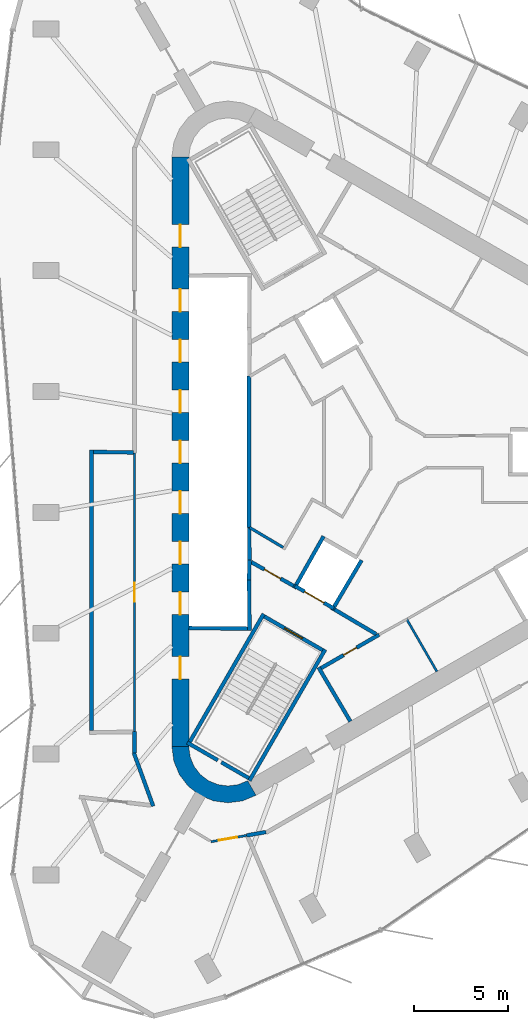
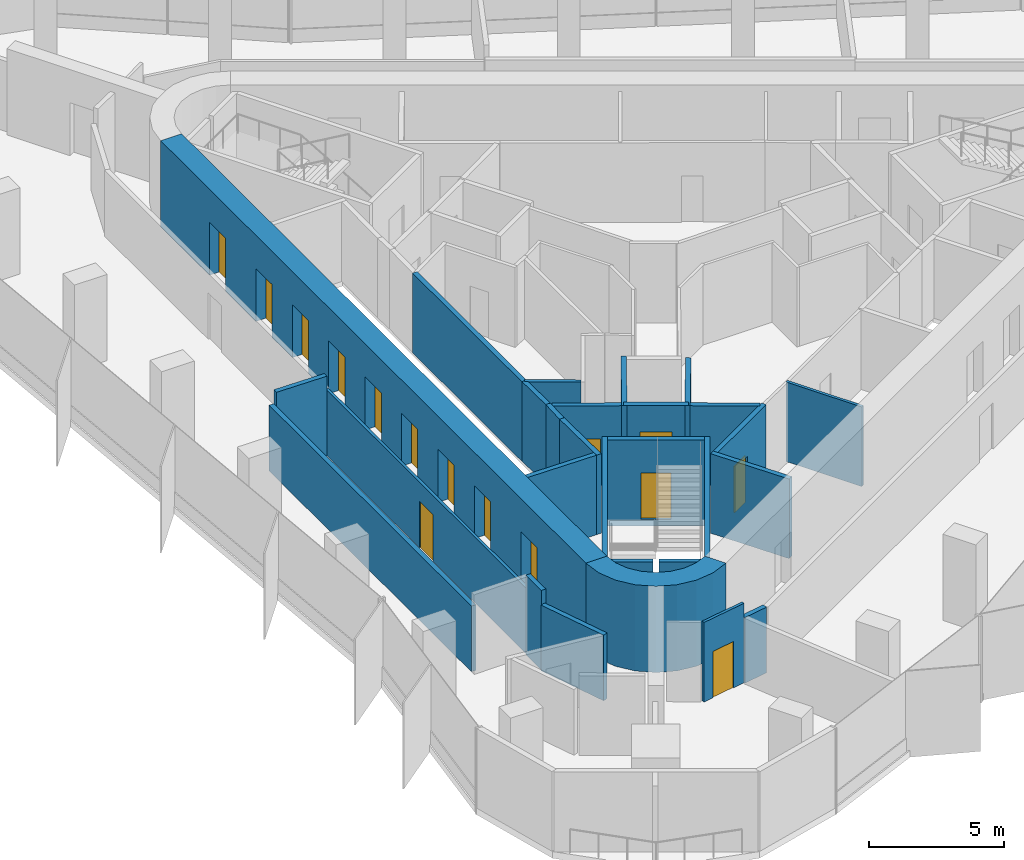
# One storey, part 7 of 12: 28 walls, 15 doors, 15 openings.
"""IFC4 building model written with IfcOpenShell, lengths in metres."""

import ifcopenshell
import ifcopenshell.guid

model = None  # the IFC model being written
_history = None  # IfcOwnerHistory: only IFC2X3 demands one
_inside = {}  # id of a spatial element -> (the spatial element, [elements in it])
_under = {}  # id of a project, library or spatial element -> (it, [spatial elements below it])
_declared = {}  # id of a project -> (the project, [libraries it declares])
_typed = {}  # id of a type object -> (the type object, [elements of that type])
_made_of = {}  # id of a material, layer set ... -> (it, [elements and type objects made of it])


def new_model(schema):
    """Start an empty IFC model of exactly this schema.

    Asked for "IFC4X3", IfcOpenShell would pick the latest addendum, in which some entities
    have other attributes; the version numbers below select the first issue.
    IFC2X3 requires an IfcOwnerHistory on every rooted entity: one is made here for all.
    """
    global model, _history
    if schema == "IFC4X3":
        model = ifcopenshell.file(schema_version=(4, 3, 0, 0))
    else:
        model = ifcopenshell.file(schema=schema)
    _inside.clear()
    _under.clear()
    _declared.clear()
    _typed.clear()
    _made_of.clear()
    _history = None
    if model.schema == "IFC2X3":
        org = make("IfcOrganization", Name="unknown")
        user = make(
            "IfcPersonAndOrganization",
            ThePerson=make("IfcPerson", FamilyName="unknown"),
            TheOrganization=org,
        )
        app = make(
            "IfcApplication",
            ApplicationDeveloper=org,
            Version="unknown",
            ApplicationFullName="unknown",
            ApplicationIdentifier="unknown",
        )
        _history = make(
            "IfcOwnerHistory",
            OwningUser=user,
            OwningApplication=app,
            ChangeAction="ADDED",
            CreationDate=0,
        )
    return model


def make(cls, **values):
    """One entity of the class cls with the attributes given. An attribute that is None is left unset."""
    return model.create_entity(
        cls, **{name: value for name, value in values.items() if value is not None}
    )


def rooted(cls, **values):
    """An entity with a GlobalId (a new one), such as an element, a storey or a relation."""
    return make(cls, GlobalId=ifcopenshell.guid.new(), OwnerHistory=_history, **values)


def si_unit(unit_type, name, prefix=None):
    """IfcSIUnit, for example si_unit("LENGTHUNIT", "METRE", prefix="MILLI")."""
    return make("IfcSIUnit", UnitType=unit_type, Prefix=prefix, Name=name)


def assignment(units):
    """IfcUnitAssignment: the units of a project."""
    return None if units is None else make("IfcUnitAssignment", Units=units)


def point(xyz):
    """IfcCartesianPoint."""
    return None if xyz is None else make("IfcCartesianPoint", Coordinates=xyz)


def direction(xyz):
    """IfcDirection."""
    return None if xyz is None else make("IfcDirection", DirectionRatios=xyz)


def frame(location, z_axis=None, x_axis=None):
    """IfcAxis2Placement3D, a coordinate frame: its origin and axes. An axis left out is left unset."""
    return make(
        "IfcAxis2Placement3D",
        Location=point(location),
        Axis=direction(z_axis),
        RefDirection=direction(x_axis),
    )


def frame_2d(location, x_axis=None):
    """IfcAxis2Placement2D, a coordinate frame in the plane: its origin and x axis."""
    return make(
        "IfcAxis2Placement2D", Location=point(location), RefDirection=direction(x_axis)
    )


def origin():
    """The frame at (0, 0, 0) with its axes left unset."""
    return frame((0.0, 0.0, 0.0))


def place(relative_to, where):
    """IfcLocalPlacement: puts the frame where relative to a parent placement (None: the world)."""
    return make(
        "IfcLocalPlacement", PlacementRelTo=relative_to, RelativePlacement=where
    )


def context(
    kind, dimensions, precision=None, world=None, true_north=None, identifier=None
):
    """IfcGeometricRepresentationContext, for example the 3D "Model" context."""
    return make(
        "IfcGeometricRepresentationContext",
        ContextIdentifier=identifier,
        ContextType=kind,
        CoordinateSpaceDimension=dimensions,
        Precision=precision,
        WorldCoordinateSystem=world,
        TrueNorth=true_north,
    )


def subcontext(parent, identifier, kind, view, scale=None):
    """IfcGeometricRepresentationSubContext, for example "Body" below "Model"."""
    return make(
        "IfcGeometricRepresentationSubContext",
        ContextIdentifier=identifier,
        ContextType=kind,
        ParentContext=parent,
        TargetScale=scale,
        TargetView=view,
    )


def project(units=None, contexts=None):
    """IfcProject with its units and contexts."""
    return rooted(
        "IfcProject",
        Name="project",
        RepresentationContexts=contexts,
        UnitsInContext=assignment(units),
    )


def spatial(cls, under=None, at=None, **own):
    """A site, building, storey or space (cls), placed at a placement, below another one or the project."""
    s = rooted(cls, ObjectPlacement=at, **own)
    if under is not None:
        _under.setdefault(under.id(), (under, []))[1].append(s)
    return s


def polyline(points):
    """IfcPolyline through the points."""
    return make("IfcPolyline", Points=[point(p) for p in points])


def profile(cls, at=None, kind="AREA", **sizes):
    """A parametric profile (cls). Its sizes go by their IFC names, for example OverallWidth=200.0."""
    return make(cls, ProfileType=kind, Position=at, **sizes)


def rectangle(**sizes):
    """IfcRectangleProfileDef."""
    return profile("IfcRectangleProfileDef", **sizes)


def outline(outer, holes=None, kind="AREA"):
    """IfcArbitraryClosedProfileDef: a profile drawn as a closed curve; with holes, ...WithVoids."""
    if holes is None:
        return make("IfcArbitraryClosedProfileDef", ProfileType=kind, OuterCurve=outer)
    return make(
        "IfcArbitraryProfileDefWithVoids",
        ProfileType=kind,
        OuterCurve=outer,
        InnerCurves=holes,
    )


def extrude(swept, where, along, depth):
    """IfcExtrudedAreaSolid: the profile swept, set in the frame where, extruded along a direction by depth."""
    return make(
        "IfcExtrudedAreaSolid",
        SweptArea=swept,
        Position=where,
        ExtrudedDirection=direction(along),
        Depth=depth,
    )


def shape(context_of_items, identifier, shape_type, items):
    """IfcShapeRepresentation: the items that make up one representation, for example the "Body"."""
    return make(
        "IfcShapeRepresentation",
        ContextOfItems=context_of_items,
        RepresentationIdentifier=identifier,
        RepresentationType=shape_type,
        Items=items,
    )


def material(Name=None, Category=None):
    """IfcMaterial."""
    return make("IfcMaterial", Name=Name, Category=Category)


def layer(
    of_material, thickness, ventilated=None, Name=None, Category=None, Priority=None
):
    """IfcMaterialLayer: one layer of a wall or slab, of a material (None: an air gap)."""
    return make(
        "IfcMaterialLayer",
        Material=of_material,
        LayerThickness=thickness,
        IsVentilated=ventilated,
        Name=Name,
        Category=Category,
        Priority=Priority,
    )


def layer_set(layers, Name=None):
    """IfcMaterialLayerSet."""
    return make("IfcMaterialLayerSet", MaterialLayers=layers, LayerSetName=Name)


def made_of(thing, what):
    """Note that an element or type object is made of a material, layer set ...; save() writes the relation."""
    if what is not None:
        _made_of.setdefault(what.id(), (what, []))[1].append(thing)
    return thing


def type_object(cls, material=None, **own):
    """A type object (cls), such as IfcWallType, which elements share."""
    return made_of(rooted(cls, **own), material)


def element(
    cls,
    number,
    at=None,
    inside=None,
    cuts=None,
    type_object=None,
    material=None,
    context=None,
    identifier="Body",
    shape_type=None,
    held_by="IfcProductDefinitionShape",
    body=None,
    shapes=None,
    **own,
):
    """One element of the class cls, such as IfcWall. Its Tag is "e" and its number.

    at: its placement. inside: the storey or other place that contains it. cuts: it is an
    opening in that element (IfcRelVoidsElement). A single representation is given by context,
    identifier, shape_type and body (its items); several are given by shapes. held_by: the class
    of the entity that holds the representations. save() writes the other relations.
    """
    e = rooted(cls, Tag="e%d" % number, ObjectPlacement=at, **own)
    if body is not None:
        shapes = [shape(context, identifier, shape_type, body)]
    if shapes is not None:
        e.Representation = make(held_by, Representations=shapes)
    if inside is not None:
        _inside.setdefault(inside.id(), (inside, []))[1].append(e)
    if cuts is not None:
        rooted(
            "IfcRelVoidsElement", RelatingBuildingElement=cuts, RelatedOpeningElement=e
        )
    if type_object is not None:
        _typed.setdefault(type_object.id(), (type_object, []))[1].append(e)
    return made_of(e, material)


def fill(opening, filler):
    """IfcRelFillsElement: the door or window that sits in an opening."""
    return rooted(
        "IfcRelFillsElement",
        RelatingOpeningElement=opening,
        RelatedBuildingElement=filler,
    )


def aggregate(whole, parts):
    """IfcRelAggregates: a whole, such as a stair, and the parts it consists of."""
    return rooted("IfcRelAggregates", RelatingObject=whole, RelatedObjects=parts)


def save(model, path):
    """Write the relations noted so far, then the file.

    IfcRelAggregates (storeys below a building ...), IfcRelContainedInSpatialStructure (elements
    in a storey), IfcRelDefinesByType, IfcRelAssociatesMaterial and IfcRelDeclares: one each for
    every whole, place, type object, material and project.
    """
    for whole, parts in _under.values():
        aggregate(whole, parts)
    for where, things in _inside.values():
        rooted(
            "IfcRelContainedInSpatialStructure",
            RelatedElements=things,
            RelatingStructure=where,
        )
    for kind, things in _typed.values():
        rooted("IfcRelDefinesByType", RelatedObjects=things, RelatingType=kind)
    for what, things in _made_of.values():
        rooted("IfcRelAssociatesMaterial", RelatedObjects=things, RelatingMaterial=what)
    for by, libraries in _declared.values():
        rooted("IfcRelDeclares", RelatingContext=by, RelatedDefinitions=libraries)
    model.write(path)


model = new_model("IFC4")

# Units and contexts
model_context = context("Model", 3, precision=1e-05, world=origin(), true_north=direction((0.0, 1.0)))
body_context = subcontext(model_context, "Body", "Model", "MODEL_VIEW")
ifc_project = project(units=[si_unit("LENGTHUNIT", "METRE"), si_unit("AREAUNIT", "SQUARE_METRE"), si_unit("VOLUMEUNIT", "CUBIC_METRE"), si_unit("PLANEANGLEUNIT", "RADIAN"), si_unit("MASSUNIT", "GRAM", prefix="KILO")], contexts=[model_context])

# Site, building, storey
site_placement = place(None, origin())
site = spatial("IfcSite", under=ifc_project, at=site_placement, CompositionType="ELEMENT")
building_placement = place(site_placement, origin())
building = spatial("IfcBuilding", under=site, at=building_placement, Name="Tanit Gate Tower", CompositionType="ELEMENT")
storey_placement = place(building_placement, frame((0.0, 0.0, 384.5)))
storey = spatial("IfcBuildingStorey", under=building, at=storey_placement, Name="L88", CompositionType="ELEMENT", Elevation=384.5)

# Wall, openings, doors
ifc_material_1 = material(Name="Concrete C40/50", Category="concrete")
ifc_layer_1 = layer(ifc_material_1, 0.89990234375)
ifc_layer_set_1 = layer_set([ifc_layer_1], Name="CORE WALL 900 C40/50")
wall_type_1 = type_object("IfcWallType", Name="CORE WALL 900 C40/50", PredefinedType="SHEAR", material=ifc_layer_set_1)
wall_1_placement = place(storey_placement, frame((-11.64990234375, 15.76171875, 0.0), z_axis=(0.0, 0.0, 1.0), x_axis=(0.0, -1.0, 0.0)))
wall_1 = element("IfcWall", 1, at=wall_1_placement, inside=storey, type_object=wall_type_1, Name="CORE WALL", PredefinedType="SHEAR", context=body_context, shape_type="SweptSolid", body=[
    extrude(rectangle(XDim=31.5234375, YDim=0.89990234375, at=frame_2d((15.76171875, 0.0))), origin(), (0.0, 0.0, 1.0), 3.89990234375),
])
opening_1_placement = place(wall_1_placement, frame((7.061767578125, 0.0, 0.0)))
opening_1 = element("IfcOpeningElement", 2, at=opening_1_placement, cuts=wall_1, Name="Opening LDHL1-88", PredefinedType="OPENING", context=body_context, shape_type="SweptSolid", body=[
    extrude(rectangle(XDim=1.199951171875, YDim=2.39990234375, at=frame_2d((0.60009765625, 1.199951171875))), frame((0.0, 0.4599609375, 0.0), z_axis=(0.0, -1.0, 0.0), x_axis=(1.0, 0.0, 0.0)), (0.0, 0.0, 1.0), 0.919921875),
])
opening_2_placement = place(wall_1_placement, frame((9.76171875, 0.0, 0.0)))
opening_2 = element("IfcOpeningElement", 3, at=opening_2_placement, cuts=wall_1, Name="Opening LDHL2-88", PredefinedType="OPENING", context=body_context, shape_type="SweptSolid", body=[
    extrude(rectangle(XDim=1.199951171875, YDim=2.39990234375, at=frame_2d((0.60009765625, 1.199951171875))), frame((0.0, 0.4599609375, 0.0), z_axis=(0.0, -1.0, 0.0), x_axis=(1.0, 0.0, 0.0)), (0.0, 0.0, 1.0), 0.919921875),
])
opening_3_placement = place(wall_1_placement, frame((12.461669921875, 0.0, 0.0)))
opening_3 = element("IfcOpeningElement", 4, at=opening_3_placement, cuts=wall_1, Name="Opening LDHL3-88", PredefinedType="OPENING", context=body_context, shape_type="SweptSolid", body=[
    extrude(rectangle(XDim=1.199951171875, YDim=2.39990234375, at=frame_2d((0.60009765625, 1.199951171875))), frame((0.0, 0.4599609375, 0.0), z_axis=(0.0, -1.0, 0.0), x_axis=(1.0, 0.0, 0.0)), (0.0, 0.0, 1.0), 0.919921875),
])
opening_4_placement = place(wall_1_placement, frame((15.16162109375, 0.0, 0.0)))
opening_4 = element("IfcOpeningElement", 5, at=opening_4_placement, cuts=wall_1, Name="Opening LDHL4-88", PredefinedType="OPENING", context=body_context, shape_type="SweptSolid", body=[
    extrude(rectangle(XDim=1.199951171875, YDim=2.39990234375, at=frame_2d((0.60009765625, 1.199951171875))), frame((0.0, 0.4599609375, 0.0), z_axis=(0.0, -1.0, 0.0), x_axis=(1.0, 0.0, 0.0)), (0.0, 0.0, 1.0), 0.919921875),
])
opening_5_placement = place(wall_1_placement, frame((17.86181640625, 0.0, 0.0)))
opening_5 = element("IfcOpeningElement", 6, at=opening_5_placement, cuts=wall_1, Name="Opening LDHL5-88", PredefinedType="OPENING", context=body_context, shape_type="SweptSolid", body=[
    extrude(rectangle(XDim=1.199951171875, YDim=2.39990234375, at=frame_2d((0.60009765625, 1.199951171875))), frame((0.0, 0.4599609375, 0.0), z_axis=(0.0, -1.0, 0.0), x_axis=(1.0, 0.0, 0.0)), (0.0, 0.0, 1.0), 0.919921875),
])
opening_6_placement = place(wall_1_placement, frame((20.561767578125, 0.0, 0.0)))
opening_6 = element("IfcOpeningElement", 7, at=opening_6_placement, cuts=wall_1, Name="Opening LDHL6-88", PredefinedType="OPENING", context=body_context, shape_type="SweptSolid", body=[
    extrude(rectangle(XDim=1.199951171875, YDim=2.39990234375, at=frame_2d((0.60009765625, 1.199951171875))), frame((0.0, 0.4599609375, 0.0), z_axis=(0.0, -1.0, 0.0), x_axis=(1.0, 0.0, 0.0)), (0.0, 0.0, 1.0), 0.919921875),
])
opening_7_placement = place(wall_1_placement, frame((23.26171875, 0.0, 0.0)))
opening_7 = element("IfcOpeningElement", 8, at=opening_7_placement, cuts=wall_1, Name="Opening LDHL7-88", PredefinedType="OPENING", context=body_context, shape_type="SweptSolid", body=[
    extrude(rectangle(XDim=1.199951171875, YDim=2.39990234375, at=frame_2d((0.60009765625, 1.199951171875))), frame((0.0, 0.4599609375, 0.0), z_axis=(0.0, -1.0, 0.0), x_axis=(1.0, 0.0, 0.0)), (0.0, 0.0, 1.0), 0.919921875),
])
opening_8_placement = place(wall_1_placement, frame((3.61181640625, 0.0, 0.0)))
opening_8 = element("IfcOpeningElement", 9, at=opening_8_placement, cuts=wall_1, Name="Opening F12-88-FL2", PredefinedType="OPENING", context=body_context, shape_type="SweptSolid", body=[
    extrude(rectangle(XDim=1.199951171875, YDim=2.39990234375, at=frame_2d((0.60009765625, 1.199951171875))), frame((0.0, 0.4599609375, 0.0), z_axis=(0.0, -1.0, 0.0), x_axis=(1.0, 0.0, 0.0)), (0.0, 0.0, 1.0), 0.919921875),
])
opening_9_placement = place(wall_1_placement, frame((26.711669921875, 0.0, 0.0)))
opening_9 = element("IfcOpeningElement", 10, at=opening_9_placement, cuts=wall_1, Name="Opening F12-88-S3", PredefinedType="OPENING", context=body_context, shape_type="SweptSolid", body=[
    extrude(rectangle(XDim=1.199951171875, YDim=2.39990234375, at=frame_2d((0.60009765625, 1.199951171875))), frame((0.0, 0.4599609375, 0.0), z_axis=(0.0, -1.0, 0.0), x_axis=(1.0, 0.0, 0.0)), (0.0, 0.0, 1.0), 0.919921875),
])
ifc_material_2 = material(Name="Fire-rated steel door leaf", Category="steel")
door_type_1 = type_object("IfcDoorType", Name="INT-DOOR-FIRE-LOBBY-1200", OperationType="NOTDEFINED", PredefinedType="USERDEFINED", material=ifc_material_2)
door_1_placement = place(opening_8_placement, origin())
door_1 = element("IfcDoor", 11, at=door_1_placement, inside=storey, type_object=door_type_1, Name="Door F12-88-FL2", ObjectType="FIRE DOOR", OperationType="SINGLE_SWING_LEFT", OverallHeight=2.39990234375, OverallWidth=1.199951171875, PredefinedType="USERDEFINED", context=body_context, shape_type="SweptSolid", body=[
    extrude(rectangle(XDim=1.199951171875, YDim=2.39990234375, at=frame_2d((0.60009765625, 1.199951171875))), frame((0.0, 0.02490234375, 0.0), z_axis=(0.0, -1.0, 0.0), x_axis=(1.0, 0.0, 0.0)), (0.0, 0.0, 1.0), 0.050048828125),
])
fill(opening_8, door_1)
door_2_placement = place(opening_9_placement, origin())
door_2 = element("IfcDoor", 12, at=door_2_placement, inside=storey, type_object=door_type_1, Name="Door F12-88-S3", ObjectType="FIRE DOOR", OperationType="SINGLE_SWING_LEFT", OverallHeight=2.39990234375, OverallWidth=1.199951171875, PredefinedType="USERDEFINED", context=body_context, shape_type="SweptSolid", body=[
    extrude(rectangle(XDim=1.199951171875, YDim=2.39990234375, at=frame_2d((0.60009765625, 1.199951171875))), frame((0.0, 0.02490234375, 0.0), z_axis=(0.0, -1.0, 0.0), x_axis=(1.0, 0.0, 0.0)), (0.0, 0.0, 1.0), 0.050048828125),
])
fill(opening_9, door_2)
ifc_material_3 = material(Name="Stainless steel sliding door leaf", Category="steel")
door_type_2 = type_object("IfcDoorType", Name="INT-DOOR-LANDING-1200", OperationType="NOTDEFINED", PredefinedType="USERDEFINED", material=ifc_material_3)
door_3_placement = place(opening_1_placement, origin())
door_3 = element("IfcDoor", 13, at=door_3_placement, inside=storey, type_object=door_type_2, Name="Door LDHL1-88", ObjectType="LANDING DOOR", OperationType="SLIDING_TO_LEFT", OverallHeight=2.39990234375, OverallWidth=1.199951171875, PredefinedType="USERDEFINED", context=body_context, shape_type="SweptSolid", body=[
    extrude(rectangle(XDim=1.199951171875, YDim=2.39990234375, at=frame_2d((0.60009765625, 1.199951171875))), frame((0.0, 0.02490234375, 0.0), z_axis=(0.0, -1.0, 0.0), x_axis=(1.0, 0.0, 0.0)), (0.0, 0.0, 1.0), 0.050048828125),
])
fill(opening_1, door_3)
door_4_placement = place(opening_2_placement, origin())
door_4 = element("IfcDoor", 14, at=door_4_placement, inside=storey, type_object=door_type_2, Name="Door LDHL2-88", ObjectType="LANDING DOOR", OperationType="SLIDING_TO_LEFT", OverallHeight=2.39990234375, OverallWidth=1.199951171875, PredefinedType="USERDEFINED", context=body_context, shape_type="SweptSolid", body=[
    extrude(rectangle(XDim=1.199951171875, YDim=2.39990234375, at=frame_2d((0.60009765625, 1.199951171875))), frame((0.0, 0.02490234375, 0.0), z_axis=(0.0, -1.0, 0.0), x_axis=(1.0, 0.0, 0.0)), (0.0, 0.0, 1.0), 0.050048828125),
])
fill(opening_2, door_4)
door_5_placement = place(opening_3_placement, origin())
door_5 = element("IfcDoor", 15, at=door_5_placement, inside=storey, type_object=door_type_2, Name="Door LDHL3-88", ObjectType="LANDING DOOR", OperationType="SLIDING_TO_LEFT", OverallHeight=2.39990234375, OverallWidth=1.199951171875, PredefinedType="USERDEFINED", context=body_context, shape_type="SweptSolid", body=[
    extrude(rectangle(XDim=1.199951171875, YDim=2.39990234375, at=frame_2d((0.60009765625, 1.199951171875))), frame((0.0, 0.02490234375, 0.0), z_axis=(0.0, -1.0, 0.0), x_axis=(1.0, 0.0, 0.0)), (0.0, 0.0, 1.0), 0.050048828125),
])
fill(opening_3, door_5)
door_6_placement = place(opening_4_placement, origin())
door_6 = element("IfcDoor", 16, at=door_6_placement, inside=storey, type_object=door_type_2, Name="Door LDHL4-88", ObjectType="LANDING DOOR", OperationType="SLIDING_TO_LEFT", OverallHeight=2.39990234375, OverallWidth=1.199951171875, PredefinedType="USERDEFINED", context=body_context, shape_type="SweptSolid", body=[
    extrude(rectangle(XDim=1.199951171875, YDim=2.39990234375, at=frame_2d((0.60009765625, 1.199951171875))), frame((0.0, 0.02490234375, 0.0), z_axis=(0.0, -1.0, 0.0), x_axis=(1.0, 0.0, 0.0)), (0.0, 0.0, 1.0), 0.050048828125),
])
fill(opening_4, door_6)
door_7_placement = place(opening_5_placement, origin())
door_7 = element("IfcDoor", 17, at=door_7_placement, inside=storey, type_object=door_type_2, Name="Door LDHL5-88", ObjectType="LANDING DOOR", OperationType="SLIDING_TO_LEFT", OverallHeight=2.39990234375, OverallWidth=1.199951171875, PredefinedType="USERDEFINED", context=body_context, shape_type="SweptSolid", body=[
    extrude(rectangle(XDim=1.199951171875, YDim=2.39990234375, at=frame_2d((0.60009765625, 1.199951171875))), frame((0.0, 0.02490234375, 0.0), z_axis=(0.0, -1.0, 0.0), x_axis=(1.0, 0.0, 0.0)), (0.0, 0.0, 1.0), 0.050048828125),
])
fill(opening_5, door_7)
door_8_placement = place(opening_6_placement, origin())
door_8 = element("IfcDoor", 18, at=door_8_placement, inside=storey, type_object=door_type_2, Name="Door LDHL6-88", ObjectType="LANDING DOOR", OperationType="SLIDING_TO_LEFT", OverallHeight=2.39990234375, OverallWidth=1.199951171875, PredefinedType="USERDEFINED", context=body_context, shape_type="SweptSolid", body=[
    extrude(rectangle(XDim=1.199951171875, YDim=2.39990234375, at=frame_2d((0.60009765625, 1.199951171875))), frame((0.0, 0.02490234375, 0.0), z_axis=(0.0, -1.0, 0.0), x_axis=(1.0, 0.0, 0.0)), (0.0, 0.0, 1.0), 0.050048828125),
])
fill(opening_6, door_8)
door_9_placement = place(opening_7_placement, origin())
door_9 = element("IfcDoor", 19, at=door_9_placement, inside=storey, type_object=door_type_2, Name="Door LDHL7-88", ObjectType="LANDING DOOR", OperationType="SLIDING_TO_LEFT", OverallHeight=2.39990234375, OverallWidth=1.199951171875, PredefinedType="USERDEFINED", context=body_context, shape_type="SweptSolid", body=[
    extrude(rectangle(XDim=1.199951171875, YDim=2.39990234375, at=frame_2d((0.60009765625, 1.199951171875))), frame((0.0, 0.02490234375, 0.0), z_axis=(0.0, -1.0, 0.0), x_axis=(1.0, 0.0, 0.0)), (0.0, 0.0, 1.0), 0.050048828125),
])
fill(opening_7, door_9)

# Walls
wall_2_placement = place(storey_placement, origin())
element("IfcWall", 20, at=wall_2_placement, inside=storey, type_object=wall_type_1, Name="CORE WALL CORNER", PredefinedType="SHEAR", context=body_context, shape_type="SweptSolid", body=[
    extrude(outline(polyline([(-12.10009765625, -15.76171875), (-11.997802734375, -16.5380859375), (-11.697998046875, -17.26171875), (-11.22119140625, -17.883056640625), (-10.60009765625, -18.359619140625), (-9.87646484375, -18.659423828125), (-9.10009765625, -18.76171875), (-8.323486328125, -18.659423828125), (-7.60009765625, -18.359619140625), (-8.050048828125, -17.580322265625), (-8.556396484375, -17.7900390625), (-9.10009765625, -17.86181640625), (-9.6435546875, -17.7900390625), (-10.14990234375, -17.580322265625), (-10.5849609375, -17.24658203125), (-10.918701171875, -16.811767578125), (-11.12841796875, -16.30517578125), (-11.199951171875, -15.76171875), (-12.10009765625, -15.76171875)])), origin(), (0.0, 0.0, 1.0), 3.89990234375),
])
ifc_material_4 = material(Name="Fire-rated gypsum board partition")
ifc_layer_2 = layer(ifc_material_4, 0.199951171875)
ifc_layer_set_2 = layer_set([ifc_layer_2], Name="INT-WALL-COMPARTMENT")
wall_type_2 = type_object("IfcWallType", Name="INT-WALL-COMPARTMENT", PredefinedType="PARTITIONING", material=ifc_layer_set_2)
wall_3_placement = place(storey_placement, frame((-4.259765625, -11.523681640625, 0.0), z_axis=(0.0, 0.0, 1.0), x_axis=(0.507997497166, -0.861358544901, 0.0)))
element("IfcWall", 21, at=wall_3_placement, inside=storey, type_object=wall_type_2, Name="Wall Compartment W056", PredefinedType="PARTITIONING", context=body_context, shape_type="SweptSolid", body=[
    extrude(rectangle(XDim=3.350341796875, YDim=0.199951171875, at=frame_2d((1.67529296875, 0.0))), origin(), (0.0, 0.0, 1.0), 3.60009765625),
])

# Wall, opening, door
wall_4_placement = place(storey_placement, frame((-1.02392578125, -9.77099609375, 0.0), z_axis=(0.0, 0.0, 1.0), x_axis=(-0.866029903013, -0.499992207027, 0.0)))
wall_4 = element("IfcWall", 22, at=wall_4_placement, inside=storey, type_object=wall_type_2, Name="Wall Compartment W057", PredefinedType="PARTITIONING", context=body_context, shape_type="SweptSolid", body=[
    extrude(rectangle(XDim=3.57763671875, YDim=0.199951171875, at=frame_2d((1.788818359375, 0.0))), origin(), (0.0, 0.0, 1.0), 3.60009765625),
])
opening_10_placement = place(wall_4_placement, frame((1.388916015625, 0.0, 0.0)))
opening_10 = element("IfcOpeningElement", 23, at=opening_10_placement, cuts=wall_4, Name="Opening R08-88-17", PredefinedType="OPENING", context=body_context, shape_type="SweptSolid", body=[
    extrude(rectangle(XDim=0.800048828125, YDim=2.10009765625, at=frame_2d((0.39990234375, 1.050048828125))), frame((0.0, 0.10986328125, 0.0), z_axis=(0.0, -1.0, 0.0), x_axis=(1.0, 0.0, 0.0)), (0.0, 0.0, 1.0), 0.219970703125),
])
ifc_material_5 = material(Name="Timber door leaf", Category="wood")
door_type_3 = type_object("IfcDoorType", Name="INT-DOOR-RISER-800", OperationType="NOTDEFINED", PredefinedType="USERDEFINED", material=ifc_material_5)
door_10_placement = place(opening_10_placement, origin())
door_10 = element("IfcDoor", 24, at=door_10_placement, inside=storey, type_object=door_type_3, Name="Door R08-88-17", ObjectType="FIRE DOOR", OperationType="SINGLE_SWING_RIGHT", OverallHeight=2.10009765625, OverallWidth=0.800048828125, PredefinedType="USERDEFINED", context=body_context, shape_type="SweptSolid", body=[
    extrude(rectangle(XDim=0.800048828125, YDim=2.10009765625, at=frame_2d((0.39990234375, 1.050048828125))), frame((0.0, 0.02490234375, 0.0), z_axis=(0.0, -1.0, 0.0), x_axis=(1.0, 0.0, 0.0)), (0.0, 0.0, 1.0), 0.050048828125),
])
fill(opening_10, door_10)

# Wall
wall_5_placement = place(storey_placement, frame((-3.400634765625, -8.43017578125, 0.0), z_axis=(0.0, 0.0, 1.0), x_axis=(0.860630814782, -0.509229418482, 0.0)))
element("IfcWall", 25, at=wall_5_placement, inside=storey, type_object=wall_type_2, Name="Wall Compartment W066", PredefinedType="PARTITIONING", context=body_context, shape_type="SweptSolid", body=[
    extrude(rectangle(XDim=2.581787109375, YDim=0.199951171875, at=frame_2d((1.291015625, 0.0))), origin(), (0.0, 0.0, 1.0), 3.60009765625),
])

# Wall, opening, door
wall_6_placement = place(storey_placement, frame((-7.849365234375, -5.893798828125, 0.0), z_axis=(0.0, 0.0, 1.0), x_axis=(0.871363259478, -0.490638431059, 0.0)))
wall_6 = element("IfcWall", 26, at=wall_6_placement, inside=storey, type_object=wall_type_2, Name="Wall Compartment W067", PredefinedType="PARTITIONING", context=body_context, shape_type="SweptSolid", body=[
    extrude(rectangle(XDim=2.5810546875, YDim=0.199951171875, at=frame_2d((1.29052734375, 0.0))), origin(), (0.0, 0.0, 1.0), 3.60009765625),
])
opening_11_placement = place(wall_6_placement, frame((0.79052734375, 0.0, 0.0)))
opening_11 = element("IfcOpeningElement", 27, at=opening_11_placement, cuts=wall_6, Name="Opening F10-88-08", PredefinedType="OPENING", context=body_context, shape_type="SweptSolid", body=[
    extrude(rectangle(XDim=1.0, YDim=2.10009765625, at=frame_2d((0.5, 1.050048828125))), frame((0.0, 0.10986328125, 0.0), z_axis=(0.0, -1.0, 0.0), x_axis=(1.0, 0.0, 0.0)), (0.0, 0.0, 1.0), 0.219970703125),
])
ifc_material_6 = material(Name="Fire-rated steel door leaf", Category="steel")
door_type_4 = type_object("IfcDoorType", Name="INT-DOOR-FIRE-1000", OperationType="NOTDEFINED", PredefinedType="USERDEFINED", material=ifc_material_6)
door_11_placement = place(opening_11_placement, origin())
door_11 = element("IfcDoor", 28, at=door_11_placement, inside=storey, type_object=door_type_4, Name="Door F10-88-08", ObjectType="FIRE DOOR", OperationType="SINGLE_SWING_LEFT", OverallHeight=2.10009765625, OverallWidth=1.0, PredefinedType="USERDEFINED", context=body_context, shape_type="SweptSolid", body=[
    extrude(rectangle(XDim=1.0, YDim=2.10009765625, at=frame_2d((0.5, 1.050048828125))), frame((0.0, 0.02490234375, 0.0), z_axis=(0.0, -1.0, 0.0), x_axis=(1.0, 0.0, 0.0)), (0.0, 0.0, 1.0), 0.050048828125),
])
fill(opening_11, door_11)

# Walls
wall_7_placement = place(storey_placement, frame((-14.13427734375, -16.099609375, 0.0), z_axis=(0.0, 0.0, 1.0), x_axis=(0.342008901436, -0.939696712423, 0.0)))
element("IfcWall", 29, at=wall_7_placement, inside=storey, type_object=wall_type_2, Name="Wall Compartment W090", PredefinedType="PARTITIONING", context=body_context, shape_type="SweptSolid", body=[
    extrude(rectangle(XDim=3.023193359375, YDim=0.199951171875, at=frame_2d((1.51171875, 0.0))), origin(), (0.0, 0.0, 1.0), 2.969970703125),
])
wall_8_placement = place(storey_placement, frame((-14.10009765625, -14.949951171875, 0.0), z_axis=(0.0, 0.0, 1.0), x_axis=(0.0, -1.0, 0.0)))
element("IfcWall", 30, at=wall_8_placement, inside=storey, type_object=wall_type_2, Name="Wall Compartment W091", PredefinedType="PARTITIONING", context=body_context, shape_type="SweptSolid", body=[
    extrude(rectangle(XDim=1.143798828125, YDim=0.199951171875, at=frame_2d((0.57177734375, 0.0))), origin(), (0.0, 0.0, 1.0), 3.60009765625),
])
wall_9_placement = place(storey_placement, frame((-16.39990234375, 0.10009765625, 0.0), z_axis=(0.0, 0.0, 1.0), x_axis=(0.0, -1.0, 0.0)))
element("IfcWall", 31, at=wall_9_placement, inside=storey, type_object=wall_type_2, Name="Wall Compartment W096", PredefinedType="PARTITIONING", context=body_context, shape_type="SweptSolid", body=[
    extrude(rectangle(XDim=15.0, YDim=0.199951171875, at=frame_2d((7.5, 0.0))), origin(), (0.0, 0.0, 1.0), 2.969970703125),
])
wall_10_placement = place(storey_placement, frame((-14.159912109375, -0.029296875, 0.0), z_axis=(0.0, 0.0, 1.0), x_axis=(-0.999913958752, 0.013117739591, 0.0)))
element("IfcWall", 32, at=wall_10_placement, inside=storey, type_object=wall_type_2, Name="Wall Compartment W097", PredefinedType="PARTITIONING", context=body_context, shape_type="SweptSolid", body=[
    extrude(rectangle(XDim=2.140380859375, YDim=0.199951171875, at=frame_2d((1.0703125, 0.0))), origin(), (0.0, 0.0, 1.0), 3.60009765625),
])
wall_11_placement = place(storey_placement, frame((-8.109130859375, -20.508056640625, 0.0), z_axis=(0.0, 0.0, 1.0), x_axis=(0.984795231167, 0.173719177613, 0.0)))
element("IfcWall", 33, at=wall_11_placement, inside=storey, type_object=wall_type_2, Name="Wall Compartment W119", PredefinedType="PARTITIONING", context=body_context, shape_type="SweptSolid", body=[
    extrude(rectangle(XDim=1.052734375, YDim=0.199951171875, at=frame_2d((0.5263671875, 0.0))), origin(), (0.0, 0.0, 1.0), 2.969970703125),
])
ifc_material_7 = material(Name="Gypsum board partition")
ifc_layer_3 = layer(ifc_material_7, 0.1201171875)
ifc_layer_set_3 = layer_set([ifc_layer_3], Name="INT-WALL-PARTITION")
wall_type_3 = type_object("IfcWallType", Name="INT-WALL-PARTITION", PredefinedType="PARTITIONING", material=ifc_layer_set_3)
wall_12_placement = place(storey_placement, frame((2.066650390625, -11.739501953125, 0.0), z_axis=(0.0, 0.0, 1.0), x_axis=(-0.499984717929, 0.866034226713, 0.0)))
element("IfcWall", 34, at=wall_12_placement, inside=storey, type_object=wall_type_3, Name="Wall Partition W055", PredefinedType="PARTITIONING", context=body_context, shape_type="SweptSolid", body=[
    extrude(rectangle(XDim=3.25, YDim=0.1201171875, at=frame_2d((1.625, 0.0))), origin(), (0.0, 0.0, 1.0), 3.60009765625),
])

# Wall, opening, door
wall_13_placement = place(storey_placement, frame((-14.10009765625, -0.050048828125, 0.0), z_axis=(0.0, 0.0, 1.0), x_axis=(0.0, -1.0, 0.0)))
wall_13 = element("IfcWall", 35, at=wall_13_placement, inside=storey, type_object=wall_type_3, Name="Wall Partition W089", PredefinedType="PARTITIONING", context=body_context, shape_type="SweptSolid", body=[
    extrude(rectangle(XDim=14.89990234375, YDim=0.1201171875, at=frame_2d((7.449951171875, 0.0))), origin(), (0.0, 0.0, 1.0), 2.969970703125),
])
opening_12_placement = place(wall_13_placement, frame((6.949951171875, 0.0, 0.0)))
opening_12 = element("IfcOpeningElement", 36, at=opening_12_placement, cuts=wall_13, Name="Opening D10-88-28", PredefinedType="OPENING", context=body_context, shape_type="SweptSolid", body=[
    extrude(rectangle(XDim=1.0, YDim=2.10009765625, at=frame_2d((0.5, 1.050048828125))), frame((0.0, 0.070068359375, 0.0), z_axis=(0.0, -1.0, 0.0), x_axis=(1.0, 0.0, 0.0)), (0.0, 0.0, 1.0), 0.14013671875),
])
ifc_material_8 = material(Name="Timber door leaf", Category="wood")
door_type_5 = type_object("IfcDoorType", Name="INT-DOOR-SINGLE-1000", OperationType="NOTDEFINED", PredefinedType="NOTDEFINED", material=ifc_material_8)
door_12_placement = place(opening_12_placement, origin())
door_12 = element("IfcDoor", 37, at=door_12_placement, inside=storey, type_object=door_type_5, Name="Door D10-88-28", OperationType="SINGLE_SWING_LEFT", OverallHeight=2.10009765625, OverallWidth=1.0, PredefinedType="NOTDEFINED", context=body_context, shape_type="SweptSolid", body=[
    extrude(rectangle(XDim=1.0, YDim=2.10009765625, at=frame_2d((0.5, 1.050048828125))), frame((0.0, 0.02490234375, 0.0), z_axis=(0.0, -1.0, 0.0), x_axis=(1.0, 0.0, 0.0)), (0.0, 0.0, 1.0), 0.050048828125),
])
fill(opening_12, door_12)

wall_14_placement = place(storey_placement, frame((-10.017578125, -20.844482421875, 0.0), z_axis=(0.0, 0.0, 1.0), x_axis=(0.984815249756, 0.173605656155, 0.0)))
wall_14 = element("IfcWall", 38, at=wall_14_placement, inside=storey, type_object=wall_type_3, Name="Wall Partition W114", PredefinedType="PARTITIONING", context=body_context, shape_type="SweptSolid", body=[
    extrude(rectangle(XDim=1.93798828125, YDim=0.1201171875, at=frame_2d((0.968994140625, 0.0))), origin(), (0.0, 0.0, 1.0), 3.60009765625),
])
opening_13_placement = place(wall_14_placement, frame((0.42236328125, 0.0, 0.0)))
opening_13 = element("IfcOpeningElement", 39, at=opening_13_placement, cuts=wall_14, Name="Opening D10-88-26", PredefinedType="OPENING", context=body_context, shape_type="SweptSolid", body=[
    extrude(rectangle(XDim=1.0, YDim=2.10009765625, at=frame_2d((0.5, 1.050048828125))), frame((0.0, 0.070068359375, 0.0), z_axis=(0.0, -1.0, 0.0), x_axis=(1.0, 0.0, 0.0)), (0.0, 0.0, 1.0), 0.14013671875),
])
door_13_placement = place(opening_13_placement, origin())
door_13 = element("IfcDoor", 40, at=door_13_placement, inside=storey, type_object=door_type_5, Name="Door D10-88-26", OperationType="SINGLE_SWING_LEFT", OverallHeight=2.10009765625, OverallWidth=1.0, PredefinedType="NOTDEFINED", context=body_context, shape_type="SweptSolid", body=[
    extrude(rectangle(XDim=1.0, YDim=2.10009765625, at=frame_2d((0.5, 1.050048828125))), frame((0.0, 0.02490234375, 0.0), z_axis=(0.0, -1.0, 0.0), x_axis=(1.0, 0.0, 0.0)), (0.0, 0.0, 1.0), 0.050048828125),
])
fill(opening_13, door_13)

# Walls
ifc_material_9 = material(Name="Fire-rated gypsum board partition")
ifc_layer_4 = layer(ifc_material_9, 0.14990234375)
ifc_layer_set_4 = layer_set([ifc_layer_4], Name="INT-WALL-RISER")
wall_type_4 = type_object("IfcWallType", Name="INT-WALL-RISER", PredefinedType="PLUMBINGWALL", material=ifc_layer_set_4)
wall_15_placement = place(storey_placement, frame((-7.949951171875, -4.041015625, 0.0), z_axis=(0.0, 0.0, 1.0), x_axis=(0.860090281069, -0.510141851263, 0.0)))
element("IfcWall", 41, at=wall_15_placement, inside=storey, type_object=wall_type_4, Name="Wall Riser W080", PredefinedType="PLUMBINGWALL", context=body_context, shape_type="SweptSolid", body=[
    extrude(rectangle(XDim=2.08935546875, YDim=0.14990234375, at=frame_2d((1.044677734375, 0.0))), origin(), (0.0, 0.0, 1.0), 3.60009765625),
])
ifc_material_10 = material(Name="Gypsum shaft wall system")
ifc_layer_5 = layer(ifc_material_10, 0.199951171875)
ifc_layer_set_5 = layer_set([ifc_layer_5], Name="INT-WALL-SHAFT")
wall_type_5 = type_object("IfcWallType", Name="INT-WALL-SHAFT", PredefinedType="PLUMBINGWALL", material=ifc_layer_set_5)
wall_16_placement = place(storey_placement, frame((-7.97998046875, 4.050048828125, 0.0), z_axis=(0.0, 0.0, 1.0), x_axis=(0.0, -1.0, 0.0)))
element("IfcWall", 42, at=wall_16_placement, inside=storey, type_object=wall_type_5, Name="Wall Shaft W005", PredefinedType="PLUMBINGWALL", context=body_context, shape_type="SweptSolid", body=[
    extrude(rectangle(XDim=8.10009765625, YDim=0.199951171875, at=frame_2d((4.050048828125, 0.0))), origin(), (0.0, 0.0, 1.0), 3.60009765625),
])
wall_17_placement = place(storey_placement, frame((-7.949951171875, -5.7724609375, 0.0), z_axis=(0.0, 0.0, 1.0), x_axis=(-0.030803413295, -0.999525462272, 0.0)))
element("IfcWall", 43, at=wall_17_placement, inside=storey, type_object=wall_type_5, Name="Wall Shaft W008", PredefinedType="PLUMBINGWALL", context=body_context, shape_type="SweptSolid", body=[
    extrude(rectangle(XDim=1.077880859375, YDim=0.199951171875, at=frame_2d((0.5390625, 0.0))), origin(), (0.0, 0.0, 1.0), 3.60009765625),
])
wall_18_placement = place(storey_placement, frame((-7.971435546875, -4.050048828125, 0.0), z_axis=(0.0, 0.0, 1.0), x_axis=(0.012042535896, -0.999927486035, 0.0)))
element("IfcWall", 44, at=wall_18_placement, inside=storey, type_object=wall_type_5, Name="Wall Shaft W009", PredefinedType="PLUMBINGWALL", context=body_context, shape_type="SweptSolid", body=[
    extrude(rectangle(XDim=1.844970703125, YDim=0.199951171875, at=frame_2d((0.92236328125, 0.0))), origin(), (0.0, 0.0, 1.0), 3.60009765625),
])
wall_19_placement = place(storey_placement, frame((-7.97900390625, -6.85009765625, 0.0), z_axis=(0.0, 0.0, 1.0), x_axis=(0.011121475088, -0.999938154483, 0.0)))
element("IfcWall", 45, at=wall_19_placement, inside=storey, type_object=wall_type_5, Name="Wall Shaft W010", PredefinedType="PLUMBINGWALL", context=body_context, shape_type="SweptSolid", body=[
    extrude(rectangle(XDim=2.7001953125, YDim=0.199951171875, at=frame_2d((1.35009765625, 0.0))), origin(), (0.0, 0.0, 1.0), 3.60009765625),
])
wall_20_placement = place(storey_placement, frame((-8.050048828125, -9.448974609375, 0.0), z_axis=(0.0, 0.0, 1.0), x_axis=(-0.999957467379, 0.009222983926, 0.0)))
element("IfcWall", 46, at=wall_20_placement, inside=storey, type_object=wall_type_5, Name="Wall Shaft W011", PredefinedType="PLUMBINGWALL", context=body_context, shape_type="SweptSolid", body=[
    extrude(rectangle(XDim=3.150146484375, YDim=0.199951171875, at=frame_2d((1.5751953125, 0.0))), origin(), (0.0, 0.0, 1.0), 3.60009765625),
])

# Wall, opening, door
wall_21_placement = place(storey_placement, frame((-3.44580078125, -8.3681640625, 0.0), z_axis=(0.0, 0.0, 1.0), x_axis=(-0.866024647952, 0.500001309137, 0.0)))
wall_21 = element("IfcWall", 47, at=wall_21_placement, inside=storey, type_object=wall_type_5, Name="Wall Shaft W043", PredefinedType="PLUMBINGWALL", context=body_context, shape_type="SweptSolid", body=[
    extrude(rectangle(XDim=2.39990234375, YDim=0.199951171875, at=frame_2d((1.199951171875, 0.0))), origin(), (0.0, 0.0, 1.0), 3.60009765625),
])
opening_14_placement = place(wall_21_placement, frame((0.60009765625, 0.0, 0.0)))
opening_14 = element("IfcOpeningElement", 48, at=opening_14_placement, cuts=wall_21, Name="Opening LDFL3-L88", PredefinedType="OPENING", context=body_context, shape_type="SweptSolid", body=[
    extrude(rectangle(XDim=1.199951171875, YDim=2.39990234375, at=frame_2d((0.60009765625, 1.199951171875))), frame((0.0, 0.10986328125, 0.0), z_axis=(0.0, -1.0, 0.0), x_axis=(1.0, 0.0, 0.0)), (0.0, 0.0, 1.0), 0.219970703125),
])
door_14_placement = place(opening_14_placement, origin())
door_14 = element("IfcDoor", 49, at=door_14_placement, inside=storey, type_object=door_type_2, Name="Door LDFL3-L88", ObjectType="LANDING DOOR", OperationType="SLIDING_TO_LEFT", OverallHeight=2.39990234375, OverallWidth=1.199951171875, PredefinedType="USERDEFINED", context=body_context, shape_type="SweptSolid", body=[
    extrude(rectangle(XDim=1.199951171875, YDim=2.39990234375, at=frame_2d((0.60009765625, 1.199951171875))), frame((0.0, 0.02490234375, 0.0), z_axis=(0.0, -1.0, 0.0), x_axis=(1.0, 0.0, 0.0)), (0.0, 0.0, 1.0), 0.050048828125),
])
fill(opening_14, door_14)

# Walls
wall_22_placement = place(storey_placement, frame((-1.960693359375, -5.796142578125, 0.0), z_axis=(0.0, 0.0, 1.0), x_axis=(-0.508647062354, -0.860975125052, 0.0)))
element("IfcWall", 50, at=wall_22_placement, inside=storey, type_object=wall_type_5, Name="Wall Shaft W044", PredefinedType="PLUMBINGWALL", context=body_context, shape_type="SweptSolid", body=[
    extrude(rectangle(XDim=3.10009765625, YDim=0.199951171875, at=frame_2d((1.550048828125, 0.0))), origin(), (0.0, 0.0, 1.0), 3.60009765625),
])
wall_23_placement = place(storey_placement, frame((-3.989990234375, -4.509033203125, 0.0), z_axis=(0.0, 0.0, 1.0), x_axis=(-0.491358283181, -0.870957540612, 0.0)))
element("IfcWall", 51, at=wall_23_placement, inside=storey, type_object=wall_type_5, Name="Wall Shaft W045", PredefinedType="PLUMBINGWALL", context=body_context, shape_type="SweptSolid", body=[
    extrude(rectangle(XDim=3.200439453125, YDim=0.199951171875, at=frame_2d((1.60009765625, 0.0))), origin(), (0.0, 0.0, 1.0), 3.60009765625),
])
ifc_material_11 = material(Name="Concrete C40/50", Category="concrete")
ifc_layer_6 = layer(ifc_material_11, 0.199951171875)
ifc_layer_set_6 = layer_set([ifc_layer_6], Name="INT-WALL-STAIR")
wall_type_6 = type_object("IfcWallType", Name="INT-WALL-STAIR", PredefinedType="SHEAR", material=ifc_layer_set_6)
wall_24_placement = place(storey_placement, frame((-3.904541015625, -10.56298828125, -0.300048828125), z_axis=(0.0, 0.0, 1.0), x_axis=(-0.500012932018, -0.866017937352, 0.0)))
element("IfcWall", 52, at=wall_24_placement, inside=storey, type_object=wall_type_6, Name="Wall Stair W038", PredefinedType="SHEAR", context=body_context, shape_type="SweptSolid", body=[
    extrude(rectangle(XDim=8.099853515625, YDim=0.199951171875, at=frame_2d((4.0498046875, 0.0))), origin(), (0.0, 0.0, 1.0), 3.900146484375),
])
wall_25_placement = place(storey_placement, frame((-11.281982421875, -15.541015625, -0.300048828125), z_axis=(0.0, 0.0, 1.0), x_axis=(0.866000578957, -0.500042995397, 0.0)))
element("IfcWall", 53, at=wall_25_placement, inside=storey, type_object=wall_type_6, Name="Wall Stair W040", PredefinedType="SHEAR", context=body_context, shape_type="SweptSolid", body=[
    extrude(rectangle(XDim=1.889892578125, YDim=0.199951171875, at=frame_2d((0.94482421875, 0.0))), origin(), (0.0, 0.0, 1.0), 3.900146484375),
])
wall_26_placement = place(storey_placement, frame((-9.454833984375, -16.59619140625, -0.300048828125), z_axis=(0.0, 0.0, 1.0), x_axis=(0.866038843867, -0.499976720371, 0.0)))
element("IfcWall", 54, at=wall_26_placement, inside=storey, type_object=wall_type_6, Name="Wall Stair W039", PredefinedType="SHEAR", context=body_context, shape_type="SweptSolid", body=[
    extrude(rectangle(XDim=1.68994140625, YDim=0.199951171875, at=frame_2d((0.844970703125, 0.0))), origin(), (0.0, 0.0, 1.0), 3.900146484375),
])
wall_27_placement = place(storey_placement, frame((-7.195556640625, -8.662841796875, -0.300048828125), z_axis=(0.0, 0.0, 1.0), x_axis=(-0.499997992926, -0.866026562566, 0.0)))
element("IfcWall", 55, at=wall_27_placement, inside=storey, type_object=wall_type_6, Name="Wall Stair W041", PredefinedType="SHEAR", context=body_context, shape_type="SweptSolid", body=[
    extrude(rectangle(XDim=7.89990234375, YDim=0.199951171875, at=frame_2d((3.949951171875, 0.0))), origin(), (0.0, 0.0, 1.0), 3.900146484375),
])

# Wall, opening, door
wall_28_placement = place(storey_placement, frame((-4.041259765625, -10.599365234375, -0.300048828125), z_axis=(0.0, 0.0, 1.0), x_axis=(-0.866047807691, 0.499961193289, 0.0)))
wall_28 = element("IfcWall", 56, at=wall_28_placement, inside=storey, type_object=wall_type_6, Name="Wall Stair W042", PredefinedType="SHEAR", context=body_context, shape_type="SweptSolid", body=[
    extrude(rectangle(XDim=3.599853515625, YDim=0.199951171875, at=frame_2d((1.7998046875, 0.0))), origin(), (0.0, 0.0, 1.0), 3.900146484375),
])
opening_15_placement = place(wall_28_placement, frame((1.25, 0.0, 0.300048828125)))
opening_15 = element("IfcOpeningElement", 57, at=opening_15_placement, cuts=wall_28, Name="Opening S11-88-07", PredefinedType="OPENING", context=body_context, shape_type="SweptSolid", body=[
    extrude(rectangle(XDim=1.10009765625, YDim=2.10009765625, at=frame_2d((0.550048828125, 1.050048828125))), frame((0.0, 0.10986328125, 0.0), z_axis=(0.0, -1.0, 0.0), x_axis=(1.0, 0.0, 0.0)), (0.0, 0.0, 1.0), 0.219970703125),
])
ifc_material_12 = material(Name="Timber door leaf", Category="wood")
door_type_6 = type_object("IfcDoorType", Name="INT-DOOR-STAIR-1100", OperationType="NOTDEFINED", PredefinedType="USERDEFINED", material=ifc_material_12)
door_15_placement = place(opening_15_placement, origin())
door_15 = element("IfcDoor", 58, at=door_15_placement, inside=storey, type_object=door_type_6, Name="Door S11-88-07", ObjectType="FIRE DOOR", OperationType="SINGLE_SWING_RIGHT", OverallHeight=2.10009765625, OverallWidth=1.10009765625, PredefinedType="USERDEFINED", context=body_context, shape_type="SweptSolid", body=[
    extrude(rectangle(XDim=1.10009765625, YDim=2.10009765625, at=frame_2d((0.550048828125, 1.050048828125))), frame((0.0, 0.02490234375, 0.0), z_axis=(0.0, -1.0, 0.0), x_axis=(1.0, 0.0, 0.0)), (0.0, 0.0, 1.0), 0.050048828125),
])
fill(opening_15, door_15)

save(model, "model.ifc")
